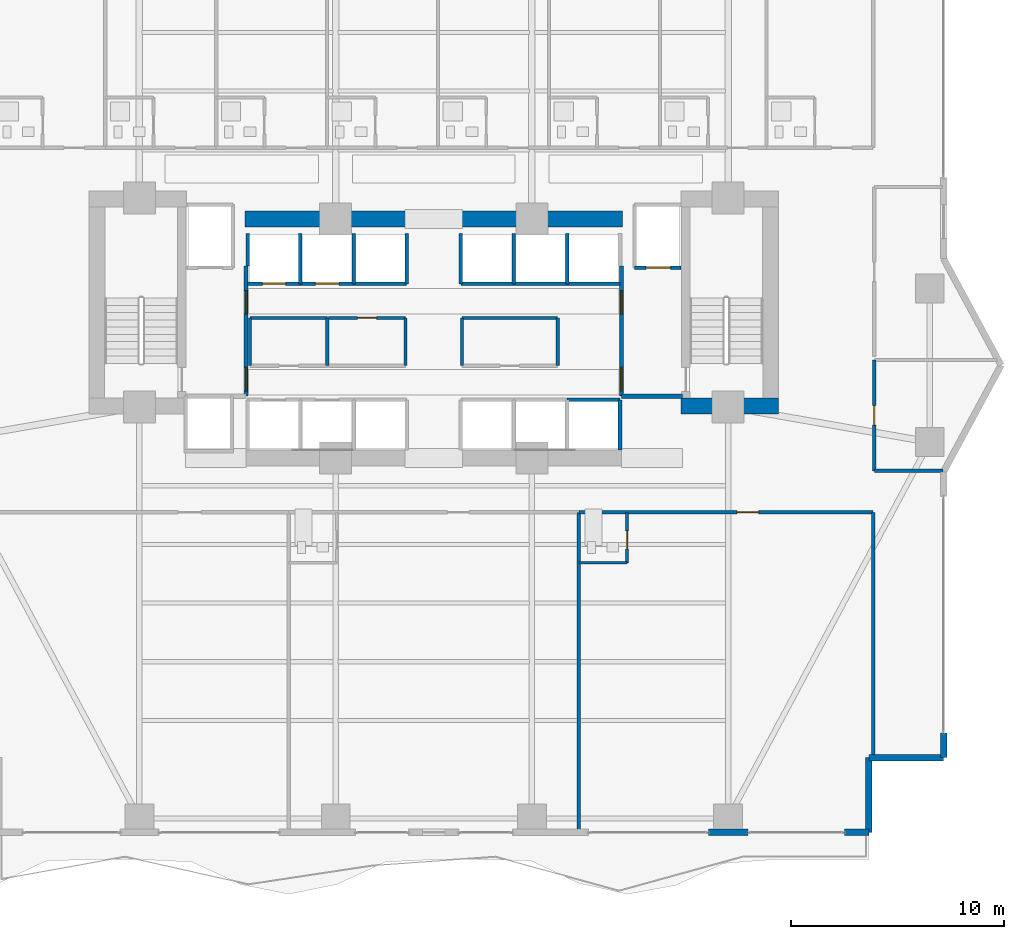
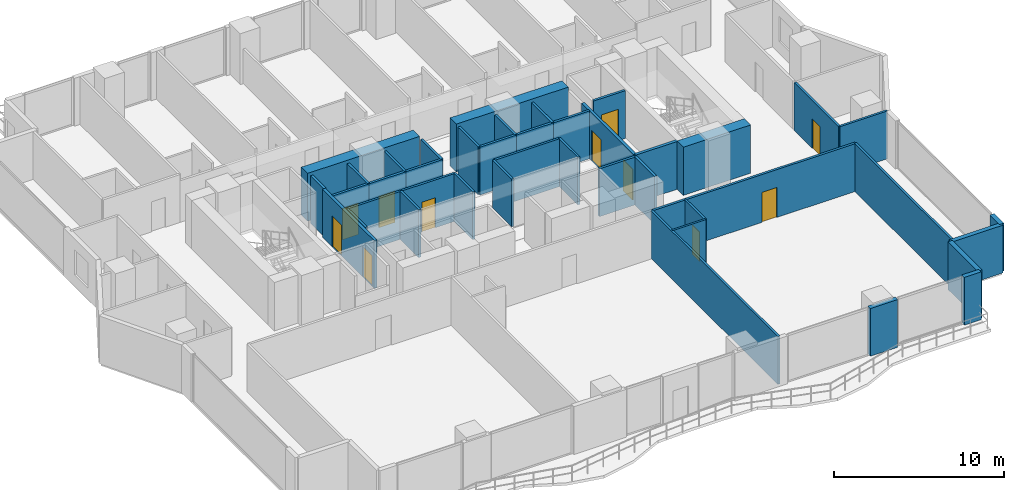
# One storey, part 22 of 28: 42 walls, 11 doors, 11 openings.
"""IFC4 building model written with IfcOpenShell, lengths in metres."""

from ifc_helpers import new_model, si_unit, direction, frame, frame_2d, origin, place, context, subcontext, project, spatial, rectangle, extrude, material, layer, layer_set, type_object, element, fill, save


model = new_model("IFC4")

# Units and contexts
model_context = context("Model", 3, precision=1e-05, world=origin(), true_north=direction((0.0, 1.0)))
body_context = subcontext(model_context, "Body", "Model", "MODEL_VIEW")
ifc_project = project(units=[si_unit("LENGTHUNIT", "METRE"), si_unit("AREAUNIT", "SQUARE_METRE"), si_unit("VOLUMEUNIT", "CUBIC_METRE"), si_unit("PLANEANGLEUNIT", "RADIAN"), si_unit("MASSUNIT", "GRAM", prefix="KILO")], contexts=[model_context])

# Site, building, storey
site_placement = place(None, origin())
site = spatial("IfcSite", under=ifc_project, at=site_placement, CompositionType="ELEMENT")
building_placement = place(site_placement, origin())
building = spatial("IfcBuilding", under=site, at=building_placement, Name="Zuhayl Quay Hotel", CompositionType="ELEMENT")
storey_placement = place(building_placement, frame((0.0, 0.0, 110.25)))
storey = spatial("IfcBuildingStorey", under=building, at=storey_placement, Name="L27", CompositionType="ELEMENT", Elevation=110.25)

# Walls
ifc_material_1 = material(Name="Concrete C60/75", Category="concrete")
ifc_layer_1 = layer(ifc_material_1, 0.75, Name="Concrete C60/75", Category="concrete")
ifc_layer_set_1 = layer_set([ifc_layer_1], Name="Concrete C60/75")
wall_type_1 = type_object("IfcWallType", Name="WL_CORE_750", PredefinedType="SHEAR", material=ifc_layer_set_1)
wall_1_placement = place(storey_placement, frame((11.60009765625, 4.594970703125, 0.0), z_axis=(0.0, 0.0, 1.0), x_axis=(1.0, 0.0, 0.0)))
element("IfcWall", 1, at=wall_1_placement, inside=storey, type_object=wall_type_1, Name="L27 Core Shear Wall CW_SE", PredefinedType="SHEAR", context=body_context, shape_type="SweptSolid", body=[
    extrude(rectangle(XDim=4.559814453125, YDim=0.75, at=frame_2d((2.27978515625, 0.0))), origin(), (0.0, 0.0, 1.0), 3.4599609375),
])
for number, where, z_axis, x_axis, name in (
    (2, (-8.85009765625, 13.35009765625, 0.0), (0.0, 0.0, 1.0), (1.0, 0.0, 0.0), "L27 Core Shear Wall CW_NC_W"),
    (3, (1.25, 13.35009765625, 0.0), (0.0, 0.0, 1.0), (1.0, 0.0, 0.0), "L27 Core Shear Wall CW_NC_E"),
):
    element("IfcWall", number, at=place(storey_placement, frame(where, z_axis=z_axis, x_axis=x_axis)), inside=storey, type_object=wall_type_1, Name=name, PredefinedType="SHEAR", context=body_context, shape_type="SweptSolid", body=[
        extrude(rectangle(XDim=7.60009765625, YDim=0.75, at=frame_2d((3.800048828125, 0.0))), origin(), (0.0, 0.0, 1.0), 3.429931640625),
    ])
ifc_material_2 = material(Name="Precast concrete C45/55", Category="concrete")
ifc_layer_2 = layer(ifc_material_2, 0.300048828125, Name="Precast concrete C45/55", Category="concrete")
ifc_layer_set_2 = layer_set([ifc_layer_2], Name="Precast concrete C45/55")
wall_type_2 = type_object("IfcWallType", Name="WL_EXT_300", PredefinedType="STANDARD", material=ifc_layer_set_2)
wall_2_placement = place(storey_placement, frame((23.89990234375, -10.75, 0.0), z_axis=(0.0, 0.0, 1.0), x_axis=(0.0, -1.0, 0.0)))
element("IfcWall", 4, at=wall_2_placement, inside=storey, type_object=wall_type_2, Name="L27 Exterior Precast Wall ENV_L27_E14_EW2", PredefinedType="STANDARD", context=body_context, shape_type="SweptSolid", body=[
    extrude(rectangle(XDim=1.14990234375, YDim=0.300048828125, at=frame_2d((0.574951171875, 0.0))), origin(), (0.0, 0.0, 1.0), 3.429931640625),
])
for number, where, z_axis, x_axis, name in (
    (5, (23.89990234375, -11.89990234375, 0.0), (0.0, 0.0, 1.0), (-1.0, 0.0, 0.0), "L27 Exterior Precast Wall ENV_L27_EW15"),
    (6, (20.39990234375, -11.89990234375, 0.0), (0.0, 0.0, 1.0), (0.0, -1.0, 0.0), "L27 Exterior Precast Wall ENV_L27_EW16"),
):
    element("IfcWall", number, at=place(storey_placement, frame(where, z_axis=z_axis, x_axis=x_axis)), inside=storey, type_object=wall_type_2, Name=name, PredefinedType="STANDARD", context=body_context, shape_type="SweptSolid", body=[
        extrude(rectangle(XDim=3.5, YDim=0.300048828125, at=frame_2d((1.75, 0.0))), origin(), (0.0, 0.0, 1.0), 3.429931640625),
    ])
wall_3_placement = place(storey_placement, frame((20.39990234375, -15.39990234375, 0.0), z_axis=(0.0, 0.0, 1.0), x_axis=(-1.0, 0.0, 0.0)))
element("IfcWall", 7, at=wall_3_placement, inside=storey, type_object=wall_type_2, Name="L27 Exterior Precast Wall ENV_L27_S_EW1", PredefinedType="STANDARD", context=body_context, shape_type="SweptSolid", body=[
    extrude(rectangle(XDim=1.14990234375, YDim=0.300048828125, at=frame_2d((0.574951171875, 0.0))), origin(), (0.0, 0.0, 1.0), 3.429931640625),
])
wall_4_placement = place(storey_placement, frame((14.719970703125, -15.39990234375, 0.0), z_axis=(0.0, 0.0, 1.0), x_axis=(-1.0, 0.0, 0.0)))
element("IfcWall", 8, at=wall_4_placement, inside=storey, type_object=wall_type_2, Name="L27 Exterior Precast Wall ENV_L27_S_EW2", PredefinedType="STANDARD", context=body_context, shape_type="SweptSolid", body=[
    extrude(rectangle(XDim=1.840087890625, YDim=0.300048828125, at=frame_2d((0.919921875, 0.0))), origin(), (0.0, 0.0, 1.0), 3.429931640625),
])

# Wall, opening, door
ifc_material_3 = material(Name="Acoustic Gypsum Partition STC-58")
ifc_layer_3 = layer(ifc_material_3, 0.14990234375, Name="Acoustic Gypsum Partition STC-58")
ifc_layer_set_3 = layer_set([ifc_layer_3], Name="Acoustic Gypsum Partition STC-58")
wall_type_3 = type_object("IfcWallType", Name="WL_PART_150", PredefinedType="PARTITIONING", material=ifc_layer_set_3)
wall_5_placement = place(storey_placement, frame((-4.929931640625, 8.719970703125, 0.0), z_axis=(0.0, 0.0, 1.0), x_axis=(1.0, 0.0, 0.0)))
wall_5 = element("IfcWall", 9, at=wall_5_placement, inside=storey, type_object=wall_type_3, Name="L27 Partition IW_L27_CORE_BM_N", PredefinedType="PARTITIONING", context=body_context, shape_type="SweptSolid", body=[
    extrude(rectangle(XDim=3.60986328125, YDim=0.14990234375, at=frame_2d((1.804931640625, 0.0))), origin(), (0.0, 0.0, 1.0), 3.429931640625),
])
opening_1_placement = place(wall_5_placement, frame((1.35498046875, 0.0, 0.0)))
opening_1 = element("IfcOpeningElement", 10, at=opening_1_placement, cuts=wall_5, Name="Opening D06", PredefinedType="OPENING", context=body_context, shape_type="SweptSolid", body=[
    extrude(rectangle(XDim=0.89990234375, YDim=2.14990234375, at=frame_2d((0.449951171875, 1.074951171875))), frame((0.0, 0.0849609375, 0.0), z_axis=(0.0, -1.0, 0.0), x_axis=(1.0, 0.0, 0.0)), (0.0, 0.0, 1.0), 0.169921875),
])
ifc_material_4 = material(Name="Steel ASTM A992 Grade 50", Category="steel")
door_type_1 = type_object("IfcDoorType", Name="DR_INT_900", OperationType="NOTDEFINED", PredefinedType="DOOR", material=ifc_material_4)
door_1_placement = place(opening_1_placement, origin())
door_1 = element("IfcDoor", 11, at=door_1_placement, inside=storey, type_object=door_type_1, Name="L27 Telecom and BMS Closet Door", OperationType="SINGLE_SWING_LEFT", OverallHeight=2.14990234375, OverallWidth=0.89990234375, PredefinedType="DOOR", context=body_context, shape_type="SweptSolid", body=[
    extrude(rectangle(XDim=0.89990234375, YDim=2.14990234375, at=frame_2d((0.449951171875, 1.074951171875))), frame((0.0, 0.02490234375, 0.0), z_axis=(0.0, -1.0, 0.0), x_axis=(1.0, 0.0, 0.0)), (0.0, 0.0, 1.0), 0.050048828125),
])
fill(opening_1, door_1)

# Walls
wall_6_placement = place(storey_placement, frame((-8.610107421875, 8.719970703125, 0.0), z_axis=(0.0, 0.0, 1.0), x_axis=(1.0, 0.0, 0.0)))
element("IfcWall", 12, at=wall_6_placement, inside=storey, type_object=wall_type_3, Name="L27 Partition IW_L27_CORE_SW_N", PredefinedType="PARTITIONING", context=body_context, shape_type="SweptSolid", body=[
    extrude(rectangle(XDim=3.6201171875, YDim=0.14990234375, at=frame_2d((1.81005859375, 0.0))), origin(), (0.0, 0.0, 1.0), 3.429931640625),
])
for number, where, z_axis, x_axis, name in (
    (13, (-8.610107421875, 6.47998046875, 0.0), (0.0, 0.0, 1.0), (0.0, 1.0, 0.0), "L27 Partition IW_L27_CORE_SW_W"),
    (14, (-4.989990234375, 6.47998046875, 0.0), (0.0, 0.0, 1.0), (0.0, 1.0, 0.0), "L27 Partition IW_L27_CORE_SW_E"),
    (15, (-1.320068359375, 6.47998046875, 0.0), (0.0, 0.0, 1.0), (0.0, 1.0, 0.0), "L27 Partition IW_L27_CORE_BM_E"),
):
    element("IfcWall", number, at=place(storey_placement, frame(where, z_axis=z_axis, x_axis=x_axis)), inside=storey, type_object=wall_type_3, Name=name, PredefinedType="PARTITIONING", context=body_context, shape_type="SweptSolid", body=[
        extrude(rectangle(XDim=2.239990234375, YDim=0.14990234375, at=frame_2d((1.1201171875, 0.0))), origin(), (0.0, 0.0, 1.0), 3.429931640625),
    ])
wall_7_placement = place(storey_placement, frame((1.320068359375, 8.719970703125, 0.0), z_axis=(0.0, 0.0, 1.0), x_axis=(1.0, 0.0, 0.0)))
element("IfcWall", 16, at=wall_7_placement, inside=storey, type_object=wall_type_3, Name="L27 Partition IW_L27_CORE_PN_N", PredefinedType="PARTITIONING", context=body_context, shape_type="SweptSolid", body=[
    extrude(rectangle(XDim=4.489990234375, YDim=0.14990234375, at=frame_2d((2.2451171875, 0.0))), origin(), (0.0, 0.0, 1.0), 3.429931640625),
])
for number, where, z_axis, x_axis, name in (
    (17, (1.320068359375, 6.47998046875, 0.0), (0.0, 0.0, 1.0), (0.0, 1.0, 0.0), "L27 Partition IW_L27_CORE_PN_W"),
    (18, (5.81005859375, 6.47998046875, 0.0), (0.0, 0.0, 1.0), (0.0, 1.0, 0.0), "L27 Partition IW_L27_CORE_PN_E"),
):
    element("IfcWall", number, at=place(storey_placement, frame(where, z_axis=z_axis, x_axis=x_axis)), inside=storey, type_object=wall_type_3, Name=name, PredefinedType="PARTITIONING", context=body_context, shape_type="SweptSolid", body=[
        extrude(rectangle(XDim=2.239990234375, YDim=0.14990234375, at=frame_2d((1.1201171875, 0.0))), origin(), (0.0, 0.0, 1.0), 3.429931640625),
    ])
wall_8_placement = place(storey_placement, frame((6.800048828125, -15.320068359375, 0.0), z_axis=(0.0, 0.0, 1.0), x_axis=(0.0, 1.0, 0.0)))
element("IfcWall", 19, at=wall_8_placement, inside=storey, type_object=wall_type_3, Name="L27 Partition IW_L27_SU02_E", PredefinedType="PARTITIONING", context=body_context, shape_type="SweptSolid", body=[
    extrude(rectangle(XDim=14.920166015625, YDim=0.14990234375, at=frame_2d((7.4599609375, 0.0))), origin(), (0.0, 0.0, 1.0), 3.429931640625),
])
wall_9_placement = place(storey_placement, frame((20.60009765625, -11.89990234375, 0.0), z_axis=(0.0, 0.0, 1.0), x_axis=(0.0, 1.0, 0.0)))
element("IfcWall", 20, at=wall_9_placement, inside=storey, type_object=wall_type_3, Name="L27 Partition IW_L27_SU03_E", PredefinedType="PARTITIONING", context=body_context, shape_type="SweptSolid", body=[
    extrude(rectangle(XDim=11.5, YDim=0.14990234375, at=frame_2d((5.75, 0.0))), origin(), (0.0, 0.0, 1.0), 3.429931640625),
])
wall_10_placement = place(storey_placement, frame((20.64990234375, 1.550048828125, 0.0), z_axis=(0.0, 0.0, 1.0), x_axis=(1.0, 0.0, 0.0)))
element("IfcWall", 21, at=wall_10_placement, inside=storey, type_object=wall_type_3, Name="L27 Partition IW_L27_HK_MAIN_S", PredefinedType="PARTITIONING", context=body_context, shape_type="SweptSolid", body=[
    extrude(rectangle(XDim=3.217041015625, YDim=0.14990234375, at=frame_2d((1.6083984375, 0.0))), origin(), (0.0, 0.0, 1.0), 3.429931640625),
])

# Wall, opening, door
ifc_layer_4 = layer(ifc_material_3, 0.159912109375, Name="Acoustic Gypsum Partition STC-58")
ifc_layer_set_4 = layer_set([ifc_layer_4], Name="Acoustic Gypsum Partition STC-58")
wall_type_4 = type_object("IfcWallType", Name="WL_PART_CORR_160", PredefinedType="PARTITIONING", material=ifc_layer_set_4)
wall_11_placement = place(storey_placement, frame((6.800048828125, -0.39990234375, 0.0), z_axis=(0.0, 0.0, 1.0), x_axis=(1.0, 0.0, 0.0)))
wall_11 = element("IfcWall", 22, at=wall_11_placement, inside=storey, type_object=wall_type_4, Name="L27 Partition IW_L27_SU03_COR", PredefinedType="PARTITIONING", context=body_context, shape_type="SweptSolid", body=[
    extrude(rectangle(XDim=13.800048828125, YDim=0.159912109375, at=frame_2d((6.89990234375, 0.0))), origin(), (0.0, 0.0, 1.0), 3.429931640625),
])
opening_2_placement = place(wall_11_placement, frame((7.425048828125, 0.0, 0.0)))
opening_2 = element("IfcOpeningElement", 23, at=opening_2_placement, cuts=wall_11, Name="Opening D03L", PredefinedType="OPENING", context=body_context, shape_type="SweptSolid", body=[
    extrude(rectangle(XDim=1.0, YDim=2.14990234375, at=frame_2d((0.5, 1.074951171875))), frame((0.0, 0.08984375, 0.0), z_axis=(0.0, -1.0, 0.0), x_axis=(1.0, 0.0, 0.0)), (0.0, 0.0, 1.0), 0.179931640625),
])
ifc_material_5 = material(Name="Solid Walnut Acoustic Fire Door")
door_type_2 = type_object("IfcDoorType", Name="DR_SUITE_1000", OperationType="NOTDEFINED", PredefinedType="DOOR", material=ifc_material_5)
door_2_placement = place(opening_2_placement, origin())
door_2 = element("IfcDoor", 24, at=door_2_placement, inside=storey, type_object=door_type_2, Name="L27 City-View Junior Suite L27-03 Entrance Door", OperationType="SINGLE_SWING_LEFT", OverallHeight=2.14990234375, OverallWidth=1.0, PredefinedType="DOOR", context=body_context, shape_type="SweptSolid", body=[
    extrude(rectangle(XDim=1.0, YDim=2.14990234375, at=frame_2d((0.5, 1.074951171875))), frame((0.0, 0.02490234375, 0.0), z_axis=(0.0, -1.0, 0.0), x_axis=(1.0, 0.0, 0.0)), (0.0, 0.0, 1.0), 0.050048828125),
])
fill(opening_2, door_2)

wall_12_placement = place(storey_placement, frame((20.64990234375, 1.550048828125, 0.0), z_axis=(0.0, 0.0, 1.0), x_axis=(0.0, 1.0, 0.0)))
wall_12 = element("IfcWall", 25, at=wall_12_placement, inside=storey, type_object=wall_type_4, Name="L27 Partition IW_L27_HK_MAIN_W", PredefinedType="PARTITIONING", context=body_context, shape_type="SweptSolid", body=[
    extrude(rectangle(XDim=5.199951171875, YDim=0.159912109375, at=frame_2d((2.60009765625, 0.0))), origin(), (0.0, 0.0, 1.0), 3.429931640625),
])
opening_3_placement = place(wall_12_placement, frame((2.139892578125, 0.0, 0.0)))
opening_3 = element("IfcOpeningElement", 26, at=opening_3_placement, cuts=wall_12, Name="Opening D05", PredefinedType="OPENING", context=body_context, shape_type="SweptSolid", body=[
    extrude(rectangle(XDim=0.919921875, YDim=2.1201171875, at=frame_2d((0.4599609375, 1.06005859375))), frame((0.0, 0.08984375, 0.0), z_axis=(0.0, -1.0, 0.0), x_axis=(1.0, 0.0, 0.0)), (0.0, 0.0, 1.0), 0.179931640625),
])
door_type_3 = type_object("IfcDoorType", Name="DR_INT_950", OperationType="NOTDEFINED", PredefinedType="DOOR", material=ifc_material_5)
door_3_placement = place(opening_3_placement, origin())
door_3 = element("IfcDoor", 27, at=door_3_placement, inside=storey, type_object=door_type_3, Name="L27 Housekeeping and Linen Room Door", OperationType="SINGLE_SWING_RIGHT", OverallHeight=2.1201171875, OverallWidth=0.919921875, PredefinedType="DOOR", context=body_context, shape_type="SweptSolid", body=[
    extrude(rectangle(XDim=0.919921875, YDim=2.1201171875, at=frame_2d((0.4599609375, 1.06005859375))), frame((0.0, 0.02490234375, 0.0), z_axis=(0.0, -1.0, 0.0), x_axis=(1.0, 0.0, 0.0)), (0.0, 0.0, 1.0), 0.050048828125),
])
fill(opening_3, door_3)

ifc_material_6 = material(Name="Moisture-Resistant Sanitarychase Gypsum")
ifc_layer_5 = layer(ifc_material_6, 0.135009765625, Name="Moisture-Resistant Sanitarychase Gypsum")
ifc_layer_set_5 = layer_set([ifc_layer_5], Name="Moisture-Resistant Sanitarychase Gypsum")
wall_type_5 = type_object("IfcWallType", Name="WL_PART_PLUMB_150", PredefinedType="PLUMBINGWALL", material=ifc_layer_set_5)
wall_13_placement = place(storey_placement, frame((9.06005859375, -2.760009765625, 0.0), z_axis=(0.0, 0.0, 1.0), x_axis=(0.0, 1.0, 0.0)))
wall_13 = element("IfcWall", 28, at=wall_13_placement, inside=storey, type_object=wall_type_5, Name="L27 Partition IW_L27_SU03_BE", PredefinedType="PLUMBINGWALL", context=body_context, shape_type="SweptSolid", body=[
    extrude(rectangle(XDim=2.360107421875, YDim=0.135009765625, at=frame_2d((1.18017578125, 0.0))), origin(), (0.0, 0.0, 1.0), 3.429931640625),
])
opening_4_placement = place(wall_13_placement, frame((0.64990234375, 0.0, 0.0)))
opening_4 = element("IfcOpeningElement", 29, at=opening_4_placement, cuts=wall_13, Name="Opening D04", PredefinedType="OPENING", context=body_context, shape_type="SweptSolid", body=[
    extrude(rectangle(XDim=0.85009765625, YDim=2.10009765625, at=frame_2d((0.425048828125, 1.050048828125))), frame((0.0, 0.077392578125, 0.0), z_axis=(0.0, -1.0, 0.0), x_axis=(1.0, 0.0, 0.0)), (0.0, 0.0, 1.0), 0.155029296875),
])
ifc_material_7 = material(Name="Moisture-Resistant Walnut Veneer")
door_type_4 = type_object("IfcDoorType", Name="DR_BATH_850", OperationType="NOTDEFINED", PredefinedType="DOOR", material=ifc_material_7)
door_4_placement = place(opening_4_placement, origin())
door_4 = element("IfcDoor", 30, at=door_4_placement, inside=storey, type_object=door_type_4, Name="L27 City-View Junior Suite L27-03 En-Suite Door", OperationType="SINGLE_SWING_RIGHT", OverallHeight=2.10009765625, OverallWidth=0.85009765625, PredefinedType="DOOR", context=body_context, shape_type="SweptSolid", body=[
    extrude(rectangle(XDim=0.85009765625, YDim=2.10009765625, at=frame_2d((0.425048828125, 1.050048828125))), frame((0.0, 0.02490234375, 0.0), z_axis=(0.0, -1.0, 0.0), x_axis=(1.0, 0.0, 0.0)), (0.0, 0.0, 1.0), 0.050048828125),
])
fill(opening_4, door_4)

# Wall
wall_14_placement = place(storey_placement, frame((6.800048828125, -2.760009765625, 0.0), z_axis=(0.0, 0.0, 1.0), x_axis=(1.0, 0.0, 0.0)))
element("IfcWall", 31, at=wall_14_placement, inside=storey, type_object=wall_type_5, Name="L27 Partition IW_L27_SU03_BS", PredefinedType="PLUMBINGWALL", context=body_context, shape_type="SweptSolid", body=[
    extrude(rectangle(XDim=2.260009765625, YDim=0.135009765625, at=frame_2d((1.1298828125, 0.0))), origin(), (0.0, 0.0, 1.0), 3.429931640625),
])

# Wall, opening, door
ifc_material_8 = material(Name="Gypsum Fireboard Assembly EI-90")
ifc_layer_6 = layer(ifc_material_8, 0.1650390625, Name="Gypsum Fireboard Assembly EI-90")
ifc_layer_set_6 = layer_set([ifc_layer_6], Name="Gypsum Fireboard Assembly EI-90")
wall_type_6 = type_object("IfcWallType", Name="WL_PART_SHAFT_160", PredefinedType="PARTITIONING", material=ifc_layer_set_6)
wall_15_placement = place(storey_placement, frame((9.419921875, 11.070068359375, 0.0), z_axis=(0.0, 0.0, 1.0), x_axis=(1.0, 0.0, 0.0)))
wall_15 = element("IfcWall", 32, at=wall_15_placement, inside=storey, type_object=wall_type_6, Name="L27 Partition IW_L27_SH_FL2_F", PredefinedType="PARTITIONING", context=body_context, shape_type="SweptSolid", body=[
    extrude(rectangle(XDim=2.16015625, YDim=0.1650390625, at=frame_2d((1.080078125, 0.0))), origin(), (0.0, 0.0, 1.0), 3.429931640625),
])
opening_5_placement = place(wall_15_placement, frame((0.530029296875, 0.0, 0.0)))
opening_5 = element("IfcOpeningElement", 33, at=opening_5_placement, cuts=wall_15, Name="Opening LD2", PredefinedType="OPENING", context=body_context, shape_type="SweptSolid", body=[
    extrude(rectangle(XDim=1.14990234375, YDim=2.25, at=frame_2d((0.574951171875, 1.125))), frame((0.0, 0.092529296875, 0.0), z_axis=(0.0, -1.0, 0.0), x_axis=(1.0, 0.0, 0.0)), (0.0, 0.0, 1.0), 0.18505859375),
])
ifc_material_9 = material(Name="Brushed Stainless Steel", Category="steel")
door_type_5 = type_object("IfcDoorType", Name="DR_LIFT_FF_1100", OperationType="SLIDING_TO_LEFT", PredefinedType="DOOR", material=ifc_material_9)
door_5_placement = place(opening_5_placement, origin())
door_5 = element("IfcDoor", 34, at=door_5_placement, inside=storey, type_object=door_type_5, Name="L27 Lift FL2 Sliding Landing Door", OperationType="SLIDING_TO_LEFT", OverallHeight=2.25, OverallWidth=1.14990234375, PredefinedType="DOOR", context=body_context, shape_type="SweptSolid", body=[
    extrude(rectangle(XDim=1.14990234375, YDim=2.25, at=frame_2d((0.574951171875, 1.125))), frame((0.0, 0.02490234375, 0.0), z_axis=(0.0, -1.0, 0.0), x_axis=(1.0, 0.0, 0.0)), (0.0, 0.0, 1.0), 0.050048828125),
])
fill(opening_5, door_5)

wall_16_placement = place(storey_placement, frame((-8.72998046875, 10.320068359375, 0.0), z_axis=(0.0, 0.0, 1.0), x_axis=(1.0, 0.0, 0.0)))
wall_16 = element("IfcWall", 35, at=wall_16_placement, inside=storey, type_object=wall_type_6, Name="L27 Partition IW_L27_SH_LP3_F", PredefinedType="PARTITIONING", context=body_context, shape_type="SweptSolid", body=[
    extrude(rectangle(XDim=2.47998046875, YDim=0.1650390625, at=frame_2d((1.239990234375, 0.0))), origin(), (0.0, 0.0, 1.0), 3.429931640625),
])
opening_6_placement = place(wall_16_placement, frame((0.68994140625, 0.0, 0.0)))
opening_6 = element("IfcOpeningElement", 36, at=opening_6_placement, cuts=wall_16, Name="Opening LD1", PredefinedType="OPENING", context=body_context, shape_type="SweptSolid", body=[
    extrude(rectangle(XDim=1.10009765625, YDim=2.25, at=frame_2d((0.550048828125, 1.125))), frame((0.0, 0.092529296875, 0.0), z_axis=(0.0, -1.0, 0.0), x_axis=(1.0, 0.0, 0.0)), (0.0, 0.0, 1.0), 0.18505859375),
])
door_type_6 = type_object("IfcDoorType", Name="DR_LIFT_PASS_1100", OperationType="SLIDING_TO_LEFT", PredefinedType="DOOR", material=ifc_material_9)
door_6_placement = place(opening_6_placement, origin())
door_6 = element("IfcDoor", 37, at=door_6_placement, inside=storey, type_object=door_type_6, Name="L27 Lift LP3 Sliding Landing Door", OperationType="SLIDING_TO_LEFT", OverallHeight=2.25, OverallWidth=1.10009765625, PredefinedType="DOOR", context=body_context, shape_type="SweptSolid", body=[
    extrude(rectangle(XDim=1.10009765625, YDim=2.25, at=frame_2d((0.550048828125, 1.125))), frame((0.0, 0.02490234375, 0.0), z_axis=(0.0, -1.0, 0.0), x_axis=(1.0, 0.0, 0.0)), (0.0, 0.0, 1.0), 0.050048828125),
])
fill(opening_6, door_6)

wall_17_placement = place(storey_placement, frame((-6.25, 10.320068359375, 0.0), z_axis=(0.0, 0.0, 1.0), x_axis=(1.0, 0.0, 0.0)))
wall_17 = element("IfcWall", 38, at=wall_17_placement, inside=storey, type_object=wall_type_6, Name="L27 Partition IW_L27_SH_LP4_F", PredefinedType="PARTITIONING", context=body_context, shape_type="SweptSolid", body=[
    extrude(rectangle(XDim=2.5, YDim=0.1650390625, at=frame_2d((1.25, 0.0))), origin(), (0.0, 0.0, 1.0), 3.429931640625),
])
opening_7_placement = place(wall_17_placement, frame((0.699951171875, 0.0, 0.0)))
opening_7 = element("IfcOpeningElement", 39, at=opening_7_placement, cuts=wall_17, Name="Opening LD1", PredefinedType="OPENING", context=body_context, shape_type="SweptSolid", body=[
    extrude(rectangle(XDim=1.10009765625, YDim=2.25, at=frame_2d((0.550048828125, 1.125))), frame((0.0, 0.092529296875, 0.0), z_axis=(0.0, -1.0, 0.0), x_axis=(1.0, 0.0, 0.0)), (0.0, 0.0, 1.0), 0.18505859375),
])
door_7_placement = place(opening_7_placement, origin())
door_7 = element("IfcDoor", 40, at=door_7_placement, inside=storey, type_object=door_type_6, Name="L27 Lift LP4 Sliding Landing Door", OperationType="SLIDING_TO_LEFT", OverallHeight=2.25, OverallWidth=1.10009765625, PredefinedType="DOOR", context=body_context, shape_type="SweptSolid", body=[
    extrude(rectangle(XDim=1.10009765625, YDim=2.25, at=frame_2d((0.550048828125, 1.125))), frame((0.0, 0.02490234375, 0.0), z_axis=(0.0, -1.0, 0.0), x_axis=(1.0, 0.0, 0.0)), (0.0, 0.0, 1.0), 0.050048828125),
])
fill(opening_7, door_7)

# Walls
wall_18_placement = place(storey_placement, frame((-8.72998046875, 11.14990234375, 0.0), z_axis=(0.0, 0.0, 1.0), x_axis=(0.0, 1.0, 0.0)))
element("IfcWall", 41, at=wall_18_placement, inside=storey, type_object=wall_type_6, Name="L27 Partition IW_L27_SH_LP3_W", PredefinedType="PARTITIONING", context=body_context, shape_type="SweptSolid", body=[
    extrude(rectangle(XDim=1.530029296875, YDim=0.1650390625, at=frame_2d((0.76513671875, 0.0))), origin(), (0.0, 0.0, 1.0), 3.429931640625),
])
for number, where, z_axis, x_axis, name in (
    (42, (-6.25, 10.320068359375, 0.0), (0.0, 0.0, 1.0), (0.0, 1.0, 0.0), "L27 Partition IW_L27_SH_LP3_E"),
    (43, (-3.75, 10.320068359375, 0.0), (0.0, 0.0, 1.0), (0.0, 1.0, 0.0), "L27 Partition IW_L27_SH_LP4_E"),
):
    element("IfcWall", number, at=place(storey_placement, frame(where, z_axis=z_axis, x_axis=x_axis)), inside=storey, type_object=wall_type_6, Name=name, PredefinedType="PARTITIONING", context=body_context, shape_type="SweptSolid", body=[
        extrude(rectangle(XDim=2.35986328125, YDim=0.1650390625, at=frame_2d((1.179931640625, 0.0))), origin(), (0.0, 0.0, 1.0), 3.429931640625),
    ])
wall_19_placement = place(storey_placement, frame((-3.75, 10.320068359375, 0.0), z_axis=(0.0, 0.0, 1.0), x_axis=(1.0, 0.0, 0.0)))
element("IfcWall", 44, at=wall_19_placement, inside=storey, type_object=wall_type_6, Name="L27 Partition IW_L27_SH_MP3_F", PredefinedType="PARTITIONING", context=body_context, shape_type="SweptSolid", body=[
    extrude(rectangle(XDim=2.47998046875, YDim=0.1650390625, at=frame_2d((1.239990234375, 0.0))), origin(), (0.0, 0.0, 1.0), 3.429931640625),
])
wall_20_placement = place(storey_placement, frame((-1.27001953125, 10.320068359375, 0.0), z_axis=(0.0, 0.0, 1.0), x_axis=(0.0, 1.0, 0.0)))
element("IfcWall", 45, at=wall_20_placement, inside=storey, type_object=wall_type_6, Name="L27 Partition IW_L27_SH_MP3_E", PredefinedType="PARTITIONING", context=body_context, shape_type="SweptSolid", body=[
    extrude(rectangle(XDim=2.35986328125, YDim=0.1650390625, at=frame_2d((1.179931640625, 0.0))), origin(), (0.0, 0.0, 1.0), 3.429931640625),
])
wall_21_placement = place(storey_placement, frame((1.27001953125, 10.320068359375, 0.0), z_axis=(0.0, 0.0, 1.0), x_axis=(1.0, 0.0, 0.0)))
element("IfcWall", 46, at=wall_21_placement, inside=storey, type_object=wall_type_6, Name="L27 Partition IW_L27_SH_MP4_F", PredefinedType="PARTITIONING", context=body_context, shape_type="SweptSolid", body=[
    extrude(rectangle(XDim=2.47998046875, YDim=0.1650390625, at=frame_2d((1.239990234375, 0.0))), origin(), (0.0, 0.0, 1.0), 3.429931640625),
])
for number, where, z_axis, x_axis, name in (
    (47, (1.27001953125, 10.320068359375, 0.0), (0.0, 0.0, 1.0), (0.0, 1.0, 0.0), "L27 Partition IW_L27_SH_MP4_W"),
    (48, (3.75, 10.320068359375, 0.0), (0.0, 0.0, 1.0), (0.0, 1.0, 0.0), "L27 Partition IW_L27_SH_MP4_E"),
):
    element("IfcWall", number, at=place(storey_placement, frame(where, z_axis=z_axis, x_axis=x_axis)), inside=storey, type_object=wall_type_6, Name=name, PredefinedType="PARTITIONING", context=body_context, shape_type="SweptSolid", body=[
        extrude(rectangle(XDim=2.35986328125, YDim=0.1650390625, at=frame_2d((1.179931640625, 0.0))), origin(), (0.0, 0.0, 1.0), 3.429931640625),
    ])
wall_22_placement = place(storey_placement, frame((6.25, 4.8798828125, 0.0), z_axis=(0.0, 0.0, 1.0), x_axis=(1.0, 0.0, 0.0)))
element("IfcWall", 49, at=wall_22_placement, inside=storey, type_object=wall_type_6, Name="L27 Partition IW_L27_SH_HP2_F", PredefinedType="PARTITIONING", context=body_context, shape_type="SweptSolid", body=[
    extrude(rectangle(XDim=2.47998046875, YDim=0.1650390625, at=frame_2d((1.239990234375, 0.0))), origin(), (0.0, 0.0, 1.0), 3.429931640625),
])
wall_23_placement = place(storey_placement, frame((8.72998046875, 2.52001953125, 0.0), z_axis=(0.0, 0.0, 1.0), x_axis=(0.0, 1.0, 0.0)))
element("IfcWall", 50, at=wall_23_placement, inside=storey, type_object=wall_type_6, Name="L27 Partition IW_L27_SH_HP2_E", PredefinedType="PARTITIONING", context=body_context, shape_type="SweptSolid", body=[
    extrude(rectangle(XDim=2.35986328125, YDim=0.1650390625, at=frame_2d((1.179931640625, 0.0))), origin(), (0.0, 0.0, 1.0), 3.429931640625),
])
wall_24_placement = place(storey_placement, frame((3.75, 10.320068359375, 0.0), z_axis=(0.0, 0.0, 1.0), x_axis=(1.0, 0.0, 0.0)))
element("IfcWall", 51, at=wall_24_placement, inside=storey, type_object=wall_type_6, Name="L27 Partition IW_L27_SH_HP3_F", PredefinedType="PARTITIONING", context=body_context, shape_type="SweptSolid", body=[
    extrude(rectangle(XDim=2.5, YDim=0.1650390625, at=frame_2d((1.25, 0.0))), origin(), (0.0, 0.0, 1.0), 3.429931640625),
])
wall_25_placement = place(storey_placement, frame((6.25, 10.320068359375, 0.0), z_axis=(0.0, 0.0, 1.0), x_axis=(0.0, 1.0, 0.0)))
element("IfcWall", 52, at=wall_25_placement, inside=storey, type_object=wall_type_6, Name="L27 Partition IW_L27_SH_HP3_E", PredefinedType="PARTITIONING", context=body_context, shape_type="SweptSolid", body=[
    extrude(rectangle(XDim=2.35986328125, YDim=0.1650390625, at=frame_2d((1.179931640625, 0.0))), origin(), (0.0, 0.0, 1.0), 3.429931640625),
])
wall_26_placement = place(storey_placement, frame((6.25, 10.320068359375, 0.0), z_axis=(0.0, 0.0, 1.0), x_axis=(1.0, 0.0, 0.0)))
element("IfcWall", 53, at=wall_26_placement, inside=storey, type_object=wall_type_6, Name="L27 Partition IW_L27_SH_HP4_F", PredefinedType="PARTITIONING", context=body_context, shape_type="SweptSolid", body=[
    extrude(rectangle(XDim=2.47998046875, YDim=0.1650390625, at=frame_2d((1.239990234375, 0.0))), origin(), (0.0, 0.0, 1.0), 3.429931640625),
])

# Wall, openings, doors
ifc_material_10 = material(Name="Gypsum Fireboard Assembly EI-120")
ifc_layer_7 = layer(ifc_material_10, 0.199951171875, Name="Gypsum Fireboard Assembly EI-120")
ifc_layer_set_7 = layer_set([ifc_layer_7], Name="Gypsum Fireboard Assembly EI-120")
wall_type_7 = type_object("IfcWallType", Name="WL_PART_SHAFT_200", PredefinedType="PARTITIONING", material=ifc_layer_set_7)
wall_27_placement = place(storey_placement, frame((-8.800048828125, 5.050048828125, 0.0), z_axis=(0.0, 0.0, 1.0), x_axis=(0.0, 1.0, 0.0)))
wall_27 = element("IfcWall", 54, at=wall_27_placement, inside=storey, type_object=wall_type_7, Name="L27 Partition IW_L27_FSAE_W_E", PredefinedType="PARTITIONING", context=body_context, shape_type="SweptSolid", body=[
    extrude(rectangle(XDim=6.099853515625, YDim=0.199951171875, at=frame_2d((3.0498046875, 0.0))), origin(), (0.0, 0.0, 1.0), 3.429931640625),
])
opening_8_placement = place(wall_27_placement, frame((0.25, 0.0, 0.0)))
opening_8 = element("IfcOpeningElement", 55, at=opening_8_placement, cuts=wall_27, Name="Opening D02", PredefinedType="OPENING", context=body_context, shape_type="SweptSolid", body=[
    extrude(rectangle(XDim=1.10009765625, YDim=2.199951171875, at=frame_2d((0.550048828125, 1.10009765625))), frame((0.0, 0.10986328125, 0.0), z_axis=(0.0, -1.0, 0.0), x_axis=(1.0, 0.0, 0.0)), (0.0, 0.0, 1.0), 0.219970703125),
])
opening_9_placement = place(wall_27_placement, frame((3.85009765625, 0.0, 0.0)))
opening_9 = element("IfcOpeningElement", 56, at=opening_9_placement, cuts=wall_27, Name="Opening D02", PredefinedType="OPENING", context=body_context, shape_type="SweptSolid", body=[
    extrude(rectangle(XDim=1.10009765625, YDim=2.199951171875, at=frame_2d((0.550048828125, 1.10009765625))), frame((0.0, 0.10986328125, 0.0), z_axis=(0.0, -1.0, 0.0), x_axis=(1.0, 0.0, 0.0)), (0.0, 0.0, 1.0), 0.219970703125),
])
door_type_7 = type_object("IfcDoorType", Name="DR_FIRE_90_1100", OperationType="NOTDEFINED", PredefinedType="DOOR", material=ifc_material_4)
door_8_placement = place(opening_8_placement, origin())
door_8 = element("IfcDoor", 57, at=door_8_placement, inside=storey, type_object=door_type_7, Name="L27 FSAE Lobby West South Entry Door", OperationType="SINGLE_SWING_RIGHT", OverallHeight=2.199951171875, OverallWidth=1.10009765625, PredefinedType="DOOR", context=body_context, shape_type="SweptSolid", body=[
    extrude(rectangle(XDim=1.10009765625, YDim=2.199951171875, at=frame_2d((0.550048828125, 1.10009765625))), frame((0.0, 0.02490234375, 0.0), z_axis=(0.0, -1.0, 0.0), x_axis=(1.0, 0.0, 0.0)), (0.0, 0.0, 1.0), 0.050048828125),
])
fill(opening_8, door_8)
door_9_placement = place(opening_9_placement, origin())
door_9 = element("IfcDoor", 58, at=door_9_placement, inside=storey, type_object=door_type_7, Name="L27 FSAE Lobby West North Entry Door", OperationType="SINGLE_SWING_LEFT", OverallHeight=2.199951171875, OverallWidth=1.10009765625, PredefinedType="DOOR", context=body_context, shape_type="SweptSolid", body=[
    extrude(rectangle(XDim=1.10009765625, YDim=2.199951171875, at=frame_2d((0.550048828125, 1.10009765625))), frame((0.0, 0.02490234375, 0.0), z_axis=(0.0, -1.0, 0.0), x_axis=(1.0, 0.0, 0.0)), (0.0, 0.0, 1.0), 0.050048828125),
])
fill(opening_9, door_9)

wall_28_placement = place(storey_placement, frame((8.800048828125, 11.14990234375, 0.0), z_axis=(0.0, 0.0, 1.0), x_axis=(0.0, -1.0, 0.0)))
wall_28 = element("IfcWall", 59, at=wall_28_placement, inside=storey, type_object=wall_type_7, Name="L27 Partition IW_L27_FSAE_E_W", PredefinedType="PARTITIONING", context=body_context, shape_type="SweptSolid", body=[
    extrude(rectangle(XDim=6.099853515625, YDim=0.199951171875, at=frame_2d((3.0498046875, 0.0))), origin(), (0.0, 0.0, 1.0), 3.429931640625),
])
opening_10_placement = place(wall_28_placement, frame((1.14990234375, 0.0, 0.0)))
opening_10 = element("IfcOpeningElement", 60, at=opening_10_placement, cuts=wall_28, Name="Opening D02", PredefinedType="OPENING", context=body_context, shape_type="SweptSolid", body=[
    extrude(rectangle(XDim=1.10009765625, YDim=2.199951171875, at=frame_2d((0.550048828125, 1.10009765625))), frame((0.0, 0.10986328125, 0.0), z_axis=(0.0, -1.0, 0.0), x_axis=(1.0, 0.0, 0.0)), (0.0, 0.0, 1.0), 0.219970703125),
])
opening_11_placement = place(wall_28_placement, frame((4.75, 0.0, 0.0)))
opening_11 = element("IfcOpeningElement", 61, at=opening_11_placement, cuts=wall_28, Name="Opening D02", PredefinedType="OPENING", context=body_context, shape_type="SweptSolid", body=[
    extrude(rectangle(XDim=1.10009765625, YDim=2.199951171875, at=frame_2d((0.550048828125, 1.10009765625))), frame((0.0, 0.10986328125, 0.0), z_axis=(0.0, -1.0, 0.0), x_axis=(1.0, 0.0, 0.0)), (0.0, 0.0, 1.0), 0.219970703125),
])
door_10_placement = place(opening_10_placement, origin())
door_10 = element("IfcDoor", 62, at=door_10_placement, inside=storey, type_object=door_type_7, Name="L27 FSAE Lobby East North Entry Door", OperationType="SINGLE_SWING_RIGHT", OverallHeight=2.199951171875, OverallWidth=1.10009765625, PredefinedType="DOOR", context=body_context, shape_type="SweptSolid", body=[
    extrude(rectangle(XDim=1.10009765625, YDim=2.199951171875, at=frame_2d((0.550048828125, 1.10009765625))), frame((0.0, 0.02490234375, 0.0), z_axis=(0.0, -1.0, 0.0), x_axis=(1.0, 0.0, 0.0)), (0.0, 0.0, 1.0), 0.050048828125),
])
fill(opening_10, door_10)
door_11_placement = place(opening_11_placement, origin())
door_11 = element("IfcDoor", 63, at=door_11_placement, inside=storey, type_object=door_type_7, Name="L27 FSAE Lobby East South Entry Door", OperationType="SINGLE_SWING_LEFT", OverallHeight=2.199951171875, OverallWidth=1.10009765625, PredefinedType="DOOR", context=body_context, shape_type="SweptSolid", body=[
    extrude(rectangle(XDim=1.10009765625, YDim=2.199951171875, at=frame_2d((0.550048828125, 1.10009765625))), frame((0.0, 0.02490234375, 0.0), z_axis=(0.0, -1.0, 0.0), x_axis=(1.0, 0.0, 0.0)), (0.0, 0.0, 1.0), 0.050048828125),
])
fill(opening_11, door_11)

# Wall
wall_29_placement = place(storey_placement, frame((8.800048828125, 5.050048828125, 0.0), z_axis=(0.0, 0.0, 1.0), x_axis=(1.0, 0.0, 0.0)))
element("IfcWall", 64, at=wall_29_placement, inside=storey, type_object=wall_type_7, Name="L27 Partition IW_L27_FSAE_E_S", PredefinedType="PARTITIONING", context=body_context, shape_type="SweptSolid", body=[
    extrude(rectangle(XDim=2.849853515625, YDim=0.199951171875, at=frame_2d((1.4248046875, 0.0))), origin(), (0.0, 0.0, 1.0), 3.429931640625),
])

save(model, "model.ifc")
